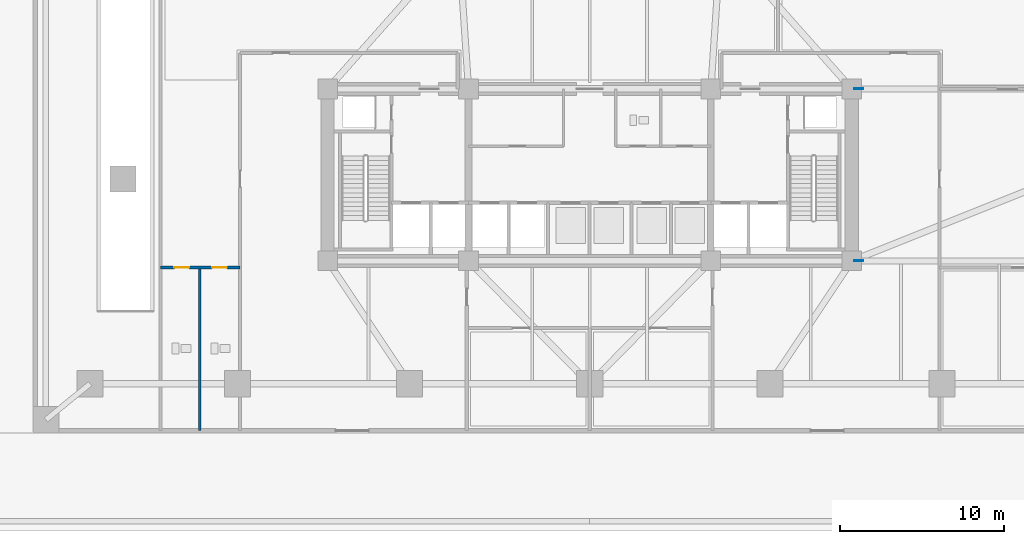
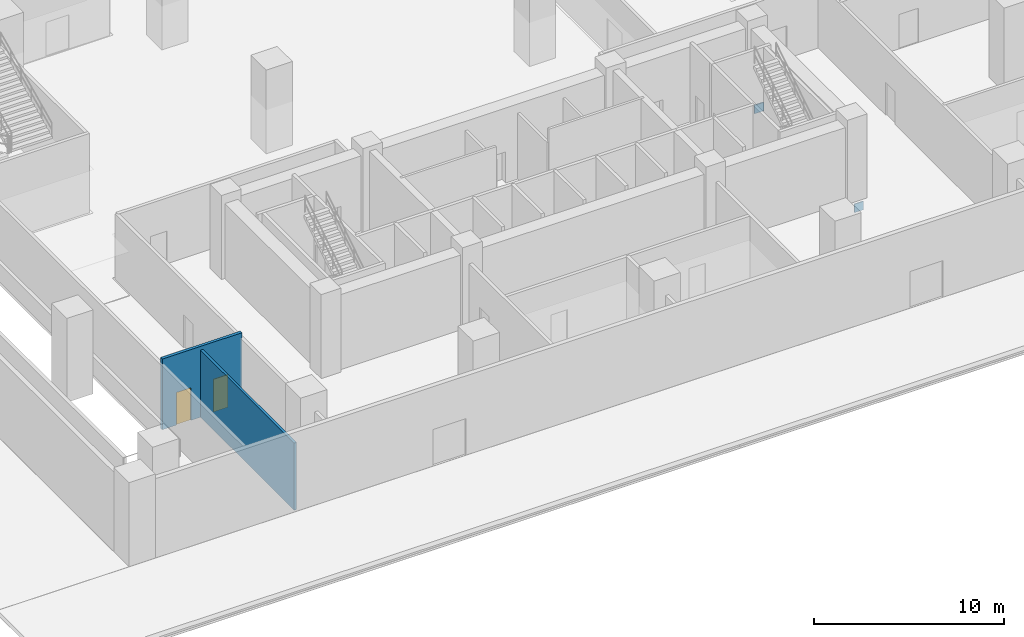
# One storey, part 3 of 15: 2 doors, 2 plates, 2 walls, 2 openings.
"""IFC4 building model written with IfcOpenShell, lengths in metres."""

from ifc_helpers import new_model, si_unit, direction, frame, frame_2d, origin, origin_2d, place, context, subcontext, project, spatial, rectangle, extrude, material, layer, layer_set, type_object, element, fill, save


model = new_model("IFC4")

# Units and contexts
model_context = context("Model", 3, precision=1e-05, world=origin(), true_north=direction((0.0, 1.0)))
body_context = subcontext(model_context, "Body", "Model", "MODEL_VIEW")
ifc_project = project(units=[si_unit("LENGTHUNIT", "METRE"), si_unit("AREAUNIT", "SQUARE_METRE"), si_unit("VOLUMEUNIT", "CUBIC_METRE"), si_unit("PLANEANGLEUNIT", "RADIAN"), si_unit("MASSUNIT", "GRAM", prefix="KILO")], contexts=[model_context])

# Site, building, storey
site_placement = place(None, origin())
site = spatial("IfcSite", under=ifc_project, at=site_placement, CompositionType="ELEMENT")
building_placement = place(site_placement, origin())
building = spatial("IfcBuilding", under=site, at=building_placement, Name="Solmavex Isthmus Hotel", CompositionType="ELEMENT")
storey_placement = place(building_placement, origin())
storey = spatial("IfcBuildingStorey", under=building, at=storey_placement, Name="L01", CompositionType="ELEMENT", Elevation=0.0)

# Plates
ifc_material_1 = material(Name="Steel ASTM A572 Grade 50", Category="steel")
ifc_layer_1 = layer(ifc_material_1, 0.06005859375)
ifc_layer_set_1 = layer_set([ifc_layer_1], Name="Steel ASTM A572 Grade 50")
plate_type = type_object("IfcPlateType", Name="PLT-EMBED-60", PredefinedType="USERDEFINED", material=ifc_layer_set_1)
for number, where, z_axis, x_axis, name in (
    (1, (16.43603515625, -2.5, -1.15478515625), (0.0, 0.0, 1.0), (1.0, 0.0, 0.0), "Outrigger Strut Core Cast-In Embedment Stiffener Plate 005"),
    (2, (16.43603515625, -13.0, -1.15478515625), (0.0, 0.0, 1.0), (1.0, 0.0, 0.0), "Outrigger Strut Core Cast-In Embedment Stiffener Plate 006"),
):
    element("IfcPlate", number, at=place(storey_placement, frame(where, z_axis=z_axis, x_axis=x_axis)), inside=storey, type_object=plate_type, Name=name, ObjectType="STIFFENER_PLATE", PredefinedType="USERDEFINED", context=body_context, shape_type="SweptSolid", body=[
        extrude(rectangle(XDim=0.550048828125, YDim=0.06005859375, at=origin_2d()), origin(), (0.0, 0.0, 1.0), 0.550048828125),
    ])

# Wall
ifc_material_2 = material(Name="Gypsum plasterboard lining", Category="gypsum")
ifc_layer_2 = layer(ifc_material_2, 0.14990234375)
ifc_layer_set_2 = layer_set([ifc_layer_2], Name="Gypsum plasterboard lining")
wall_type_1 = type_object("IfcWallType", Name="IW-CORR-150", PredefinedType="PARTITIONING", material=ifc_layer_set_2)
wall_1_placement = place(storey_placement, frame((-23.800048828125, -23.360107421875, 0.0), z_axis=(0.0, 0.0, 1.0), x_axis=(0.0, 1.0, 0.0)))
element("IfcWall", 3, at=wall_1_placement, inside=storey, type_object=wall_type_1, Name="Interior Partition Wall W-L01-WCM1", PredefinedType="PARTITIONING", context=body_context, shape_type="SweptSolid", body=[
    extrude(rectangle(XDim=9.960205078125, YDim=0.14990234375, at=frame_2d((4.97998046875, 0.0))), origin(), (0.0, 0.0, 1.0), 4.311767578125),
])

# Wall, openings, doors
ifc_material_3 = material(Name="Concrete C40/50", Category="concrete")
ifc_layer_3 = layer(ifc_material_3, 0.179931640625)
ifc_layer_set_3 = layer_set([ifc_layer_3], Name="Concrete C40/50")
wall_type_2 = type_object("IfcWallType", Name="IW-SHAFT-180", PredefinedType="PARTITIONING", material=ifc_layer_set_3)
wall_2_placement = place(storey_placement, frame((-26.199951171875, -13.39990234375, 0.0), z_axis=(0.0, 0.0, 1.0), x_axis=(1.0, 0.0, 0.0)))
wall_2 = element("IfcWall", 4, at=wall_2_placement, inside=storey, type_object=wall_type_2, Name="Interior Partition Wall W-L01-WCW", PredefinedType="PARTITIONING", context=body_context, shape_type="SweptSolid", body=[
    extrude(rectangle(XDim=4.849853515625, YDim=0.179931640625, at=frame_2d((2.4248046875, 0.0))), origin(), (0.0, 0.0, 1.0), 4.550048828125),
])
opening_1_placement = place(wall_2_placement, frame((0.85009765625, 0.0, 0.0)))
opening_1 = element("IfcOpeningElement", 5, at=opening_1_placement, cuts=wall_2, Name="Opening ID-C090", PredefinedType="OPENING", context=body_context, shape_type="SweptSolid", body=[
    extrude(rectangle(XDim=0.89990234375, YDim=2.10009765625, at=frame_2d((0.449951171875, 1.050048828125))), frame((0.0, 0.099853515625, 0.0), z_axis=(0.0, -1.0, 0.0), x_axis=(1.0, 0.0, 0.0)), (0.0, 0.0, 1.0), 0.199951171875),
])
opening_2_placement = place(wall_2_placement, frame((3.14990234375, 0.0, 0.0)))
opening_2 = element("IfcOpeningElement", 6, at=opening_2_placement, cuts=wall_2, Name="Opening ID-C090", PredefinedType="OPENING", context=body_context, shape_type="SweptSolid", body=[
    extrude(rectangle(XDim=0.89990234375, YDim=2.10009765625, at=frame_2d((0.449951171875, 1.050048828125))), frame((0.0, 0.099853515625, 0.0), z_axis=(0.0, -1.0, 0.0), x_axis=(1.0, 0.0, 0.0)), (0.0, 0.0, 1.0), 0.199951171875),
])
ifc_material_4 = material(Name="Hardwood timber", Category="wood")
door_type = type_object("IfcDoorType", Name="IDR-FD60-0900", OperationType="NOTDEFINED", PredefinedType="DOOR", material=ifc_material_4)
door_1_placement = place(opening_1_placement, frame((0.89990234375, 0.0, 0.0), z_axis=(0.0, 0.0, 1.0), x_axis=(-1.0, 0.0, 0.0)))
door_1 = element("IfcDoor", 7, at=door_1_placement, inside=storey, type_object=door_type, Name="Public Restroom Door L01", OperationType="SINGLE_SWING_LEFT", OverallHeight=2.10009765625, OverallWidth=0.89990234375, PredefinedType="DOOR", context=body_context, shape_type="SweptSolid", body=[
    extrude(rectangle(XDim=0.89990234375, YDim=2.10009765625, at=frame_2d((0.449951171875, 1.050048828125))), frame((0.0, 0.02490234375, 0.0), z_axis=(0.0, -1.0, 0.0), x_axis=(1.0, 0.0, 0.0)), (0.0, 0.0, 1.0), 0.050048828125),
])
fill(opening_1, door_1)
door_2_placement = place(opening_2_placement, frame((0.89990234375, 0.0, 0.0), z_axis=(0.0, 0.0, 1.0), x_axis=(-1.0, 0.0, 0.0)))
door_2 = element("IfcDoor", 8, at=door_2_placement, inside=storey, type_object=door_type, Name="Accessible WC Door L01", OperationType="SINGLE_SWING_RIGHT", OverallHeight=2.10009765625, OverallWidth=0.89990234375, PredefinedType="DOOR", context=body_context, shape_type="SweptSolid", body=[
    extrude(rectangle(XDim=0.89990234375, YDim=2.10009765625, at=frame_2d((0.449951171875, 1.050048828125))), frame((0.0, 0.02490234375, 0.0), z_axis=(0.0, -1.0, 0.0), x_axis=(1.0, 0.0, 0.0)), (0.0, 0.0, 1.0), 0.050048828125),
])
fill(opening_2, door_2)

save(model, "model.ifc")
